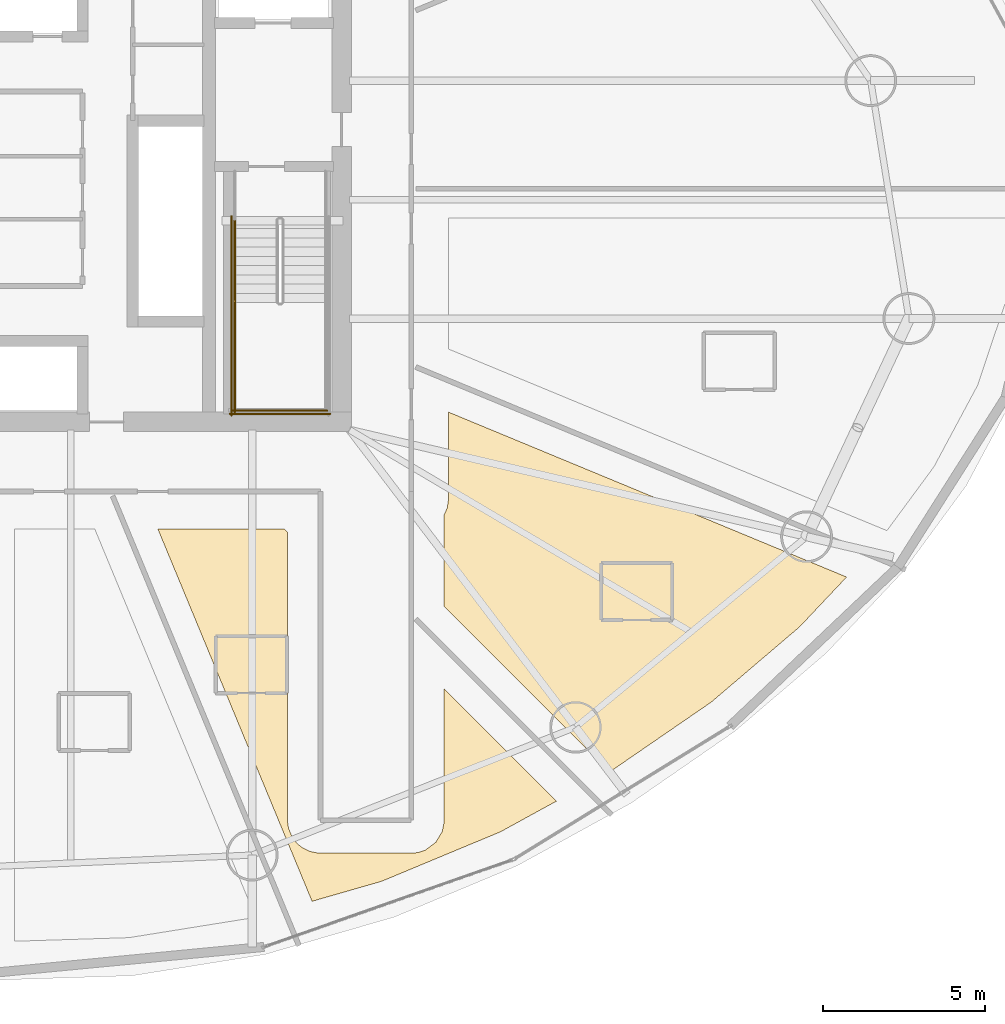
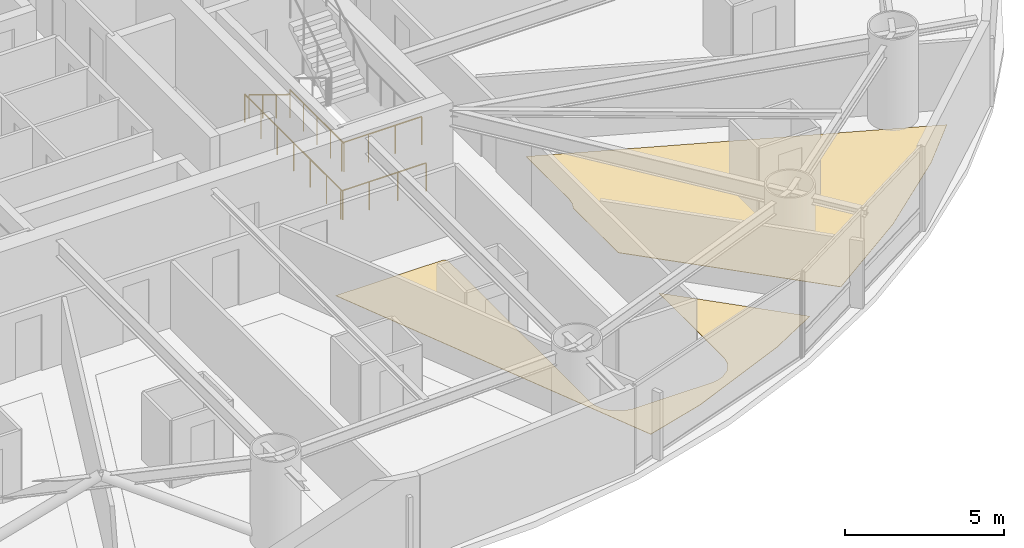
# One storey, part 25 of 27: 5 railings, 2 coverings.
"""IFC4 building model written with IfcOpenShell, lengths in metres."""

from ifc_helpers import new_model, si_unit, direction, frame, origin, origin_2d, place, context, subcontext, project, spatial, polyline, circle, outline, extrude, material, layer, layer_set, type_object, element, save


model = new_model("IFC4")

# Units and contexts
model_context = context("Model", 3, precision=1e-05, world=origin(), true_north=direction((0.0, 1.0)))
body_context = subcontext(model_context, "Body", "Model", "MODEL_VIEW")
ifc_project = project(units=[si_unit("LENGTHUNIT", "METRE"), si_unit("AREAUNIT", "SQUARE_METRE"), si_unit("VOLUMEUNIT", "CUBIC_METRE"), si_unit("PLANEANGLEUNIT", "RADIAN"), si_unit("MASSUNIT", "GRAM", prefix="KILO")], contexts=[model_context])

# Site, building, storey
site_placement = place(None, origin())
site = spatial("IfcSite", under=ifc_project, at=site_placement, CompositionType="ELEMENT")
building_placement = place(site_placement, origin())
building = spatial("IfcBuilding", under=site, at=building_placement, Name="Bramvorn Convention Spire", CompositionType="ELEMENT")
storey_placement = place(building_placement, frame((0.0, 0.0, 44.89990234375)))
storey = spatial("IfcBuildingStorey", under=building, at=storey_placement, Name="L08", CompositionType="ELEMENT", Elevation=44.89990234375)

# Coverings
ifc_material_1 = material(Name="Solution-Dyed Wool Broadloom Hospitality Carpet", Category="textile")
ifc_layer = layer(ifc_material_1, 0.014892578125)
ifc_layer_set = layer_set([ifc_layer], Name="Solution-Dyed Wool Broadloom Hospitality Carpet - FLR-CARPET-15")
covering_type = type_object("IfcCoveringType", Name="FLR-CARPET-15", PredefinedType="FLOORING", material=ifc_layer_set)
covering_1_placement = place(storey_placement, origin())
element("IfcCovering", 1, at=covering_1_placement, inside=storey, type_object=covering_type, Name="Hotel Suite 0814 wool broadloom carpet", PredefinedType="FLOORING", context=body_context, shape_type="SweptSolid", body=[
    extrude(outline(polyline([(53.9033203125, 6.139892578125), (55.63720703125, 7.090087890625), (52.169921875, 10.55712890625), (52.168212890625, 6.444091796875), (52.1083984375, 6.15087890625), (51.90966796875, 5.819580078125), (51.59130859375, 5.58056640625), (51.39208984375, 5.50927734375), (51.194091796875, 5.481201171875), (48.294189453125, 5.481689453125), (48.011962890625, 5.537841796875), (47.747314453125, 5.67724609375), (47.598388671875, 5.810791015625), (47.47216796875, 5.980712890625), (47.362060546875, 6.24658203125), (47.3310546875, 6.455810546875), (47.330078125, 15.397216796875), (47.227294921875, 15.5), (43.323486328125, 15.5), (48.088623046875, 3.99560546875), (50.2412109375, 4.615478515625), (53.9033203125, 6.139892578125)])), origin(), (0.0, 0.0, 1.0), 0.01513671875),
])
covering_2_placement = place(storey_placement, origin())
element("IfcCovering", 2, at=covering_2_placement, inside=storey, type_object=covering_type, Name="Hotel Suite 0815 wool broadloom carpet", PredefinedType="FLOORING", context=body_context, shape_type="SweptSolid", body=[
    extrude(outline(polyline([(52.169921875, 13.102783203125), (57.281494140625, 7.9912109375), (60.416748046875, 10.147705078125), (63.1455078125, 12.47314453125), (64.595703125, 14.009521484375), (52.300048828125, 19.1025390625), (52.300048828125, 16.39990234375), (52.26123046875, 16.138671875), (52.169921875, 15.936279296875), (52.169921875, 13.102783203125)])), origin(), (0.0, 0.0, 1.0), 0.01513671875),
])

# Railings
ifc_material_2 = material(Name="Painted Steel Balustrade & Guardrail", Category="steel")
railing_type_1 = type_object("IfcRailingType", Name="RL-STAIR-GUARD-1100", PredefinedType="GUARDRAIL", material=ifc_material_2)
railing_1_placement = place(storey_placement, frame((45.699951171875, 22.485107421875, 1.75)))
element("IfcRailing", 3, at=railing_1_placement, inside=storey, type_object=railing_type_1, Name="L08 ST2 stair guard 3", PredefinedType="GUARDRAIL", context=body_context, shape_type="SweptSolid", body=[
    extrude(circle(Radius=0.02392578125, at=origin_2d()), frame((0.0, 0.0, 1.076171875), z_axis=(0.0, -1.0, 0.0), x_axis=(1.0, 0.0, 0.0)), (0.0, 0.0, 1.0), 3.385009765625),
    extrude(circle(Radius=0.02099609375, at=origin_2d()), origin(), (0.0, 0.0, 1.0), 1.052001953125),
    extrude(circle(Radius=0.02099609375, at=origin_2d()), frame((0.0, -0.84619140625, 0.0)), (0.0, 0.0, 1.0), 1.052001953125),
    extrude(circle(Radius=0.02099609375, at=origin_2d()), frame((0.0, -1.6923828125, 0.0)), (0.0, 0.0, 1.0), 1.052001953125),
    extrude(circle(Radius=0.02099609375, at=origin_2d()), frame((0.0, -2.538818359375, 0.0)), (0.0, 0.0, 1.0), 1.052001953125),
    extrude(circle(Radius=0.02099609375, at=origin_2d()), frame((0.0, -3.385009765625, 0.0)), (0.0, 0.0, 1.0), 1.052001953125),
])
railing_2_placement = place(storey_placement, frame((45.64990234375, 19.14990234375, 1.75)))
element("IfcRailing", 4, at=railing_2_placement, inside=storey, type_object=railing_type_1, Name="L08 ST2 stair guard 5", PredefinedType="GUARDRAIL", context=body_context, shape_type="SweptSolid", body=[
    extrude(circle(Radius=0.02392578125, at=origin_2d()), frame((0.0, 0.0, 1.076171875), z_axis=(1.0, 0.0, 0.0), x_axis=(0.0, 1.0, 0.0)), (0.0, 0.0, 1.0), 2.900146484375),
    extrude(circle(Radius=0.02099609375, at=origin_2d()), origin(), (0.0, 0.0, 1.0), 1.052001953125),
    extrude(circle(Radius=0.02099609375, at=origin_2d()), frame((0.966796875, 0.0, 0.0)), (0.0, 0.0, 1.0), 1.052001953125),
    extrude(circle(Radius=0.02099609375, at=origin_2d()), frame((1.933349609375, 0.0, 0.0)), (0.0, 0.0, 1.0), 1.052001953125),
    extrude(circle(Radius=0.02099609375, at=origin_2d()), frame((2.900146484375, 0.0, 0.0)), (0.0, 0.0, 1.0), 1.052001953125),
])
railing_3_placement = place(storey_placement, frame((45.60009765625, 25.14990234375, 0.0)))
element("IfcRailing", 5, at=railing_3_placement, inside=storey, type_object=railing_type_1, Name="L08 ST2 stair guard 10", PredefinedType="GUARDRAIL", context=body_context, shape_type="SweptSolid", body=[
    extrude(circle(Radius=0.02392578125, at=origin_2d()), frame((0.0, 0.0, 1.076171875), z_axis=(0.0, -1.0, 0.0), x_axis=(1.0, 0.0, 0.0)), (0.0, 0.0, 1.0), 6.14990234375),
    extrude(circle(Radius=0.02099609375, at=origin_2d()), origin(), (0.0, 0.0, 1.0), 1.052001953125),
    extrude(circle(Radius=0.02099609375, at=origin_2d()), frame((0.0, -1.02490234375, 0.0)), (0.0, 0.0, 1.0), 1.052001953125),
    extrude(circle(Radius=0.02099609375, at=origin_2d()), frame((0.0, -2.050048828125, 0.0)), (0.0, 0.0, 1.0), 1.052001953125),
    extrude(circle(Radius=0.02099609375, at=origin_2d()), frame((0.0, -3.074951171875, 0.0)), (0.0, 0.0, 1.0), 1.052001953125),
    extrude(circle(Radius=0.02099609375, at=origin_2d()), frame((0.0, -4.099853515625, 0.0)), (0.0, 0.0, 1.0), 1.052001953125),
    extrude(circle(Radius=0.02099609375, at=origin_2d()), frame((0.0, -5.125, 0.0)), (0.0, 0.0, 1.0), 1.052001953125),
    extrude(circle(Radius=0.02099609375, at=origin_2d()), frame((0.0, -6.14990234375, 0.0)), (0.0, 0.0, 1.0), 1.052001953125),
])
railing_4_placement = place(storey_placement, frame((45.550048828125, 19.050048828125, 0.0)))
element("IfcRailing", 6, at=railing_4_placement, inside=storey, type_object=railing_type_1, Name="L08 ST2 stair guard 12", PredefinedType="GUARDRAIL", context=body_context, shape_type="SweptSolid", body=[
    extrude(circle(Radius=0.02392578125, at=origin_2d()), frame((0.0, 0.0, 1.076171875), z_axis=(1.0, 0.0, 0.0), x_axis=(0.0, 1.0, 0.0)), (0.0, 0.0, 1.0), 3.099853515625),
    extrude(circle(Radius=0.02099609375, at=origin_2d()), origin(), (0.0, 0.0, 1.0), 1.052001953125),
    extrude(circle(Radius=0.02099609375, at=origin_2d()), frame((1.033203125, 0.0, 0.0)), (0.0, 0.0, 1.0), 1.052001953125),
    extrude(circle(Radius=0.02099609375, at=origin_2d()), frame((2.066650390625, 0.0, 0.0)), (0.0, 0.0, 1.0), 1.052001953125),
    extrude(circle(Radius=0.02099609375, at=origin_2d()), frame((3.099853515625, 0.0, 0.0)), (0.0, 0.0, 1.0), 1.052001953125),
])
ifc_material_3 = material(Name="Brushed Bronze Tubular Handrail", Category="aluminium")
railing_type_2 = type_object("IfcRailingType", Name="RL-STAIR-HR-920", PredefinedType="HANDRAIL", material=ifc_material_3)
railing_5_placement = place(storey_placement, frame((45.699951171875, 25.050048828125, 0.175048828125)))
element("IfcRailing", 7, at=railing_5_placement, inside=storey, type_object=railing_type_2, Name="L08 ST2 stair handrail 1", PredefinedType="HANDRAIL", context=body_context, shape_type="SweptSolid", body=[
    extrude(circle(Radius=0.02392578125, at=origin_2d()), frame((0.0, 0.0, 0.89599609375), z_axis=(0.0, -0.852173129349, 0.523259933127), x_axis=(1.0, 0.0, 0.0)), (0.0, 0.0, 1.0), 3.009765625),
    extrude(circle(Radius=0.02099609375, at=origin_2d()), origin(), (0.0, 0.0, 1.0), 0.871826171875),
    extrude(circle(Radius=0.02099609375, at=origin_2d()), frame((0.0, -0.85498046875, 0.52490234375)), (0.0, 0.0, 1.0), 0.871826171875),
    extrude(circle(Radius=0.02099609375, at=origin_2d()), frame((0.0, -1.7099609375, 1.050048828125)), (0.0, 0.0, 1.0), 0.871826171875),
    extrude(circle(Radius=0.02099609375, at=origin_2d()), frame((0.0, -2.56494140625, 1.574951171875)), (0.0, 0.0, 1.0), 0.871826171875),
])

save(model, "model.ifc")
